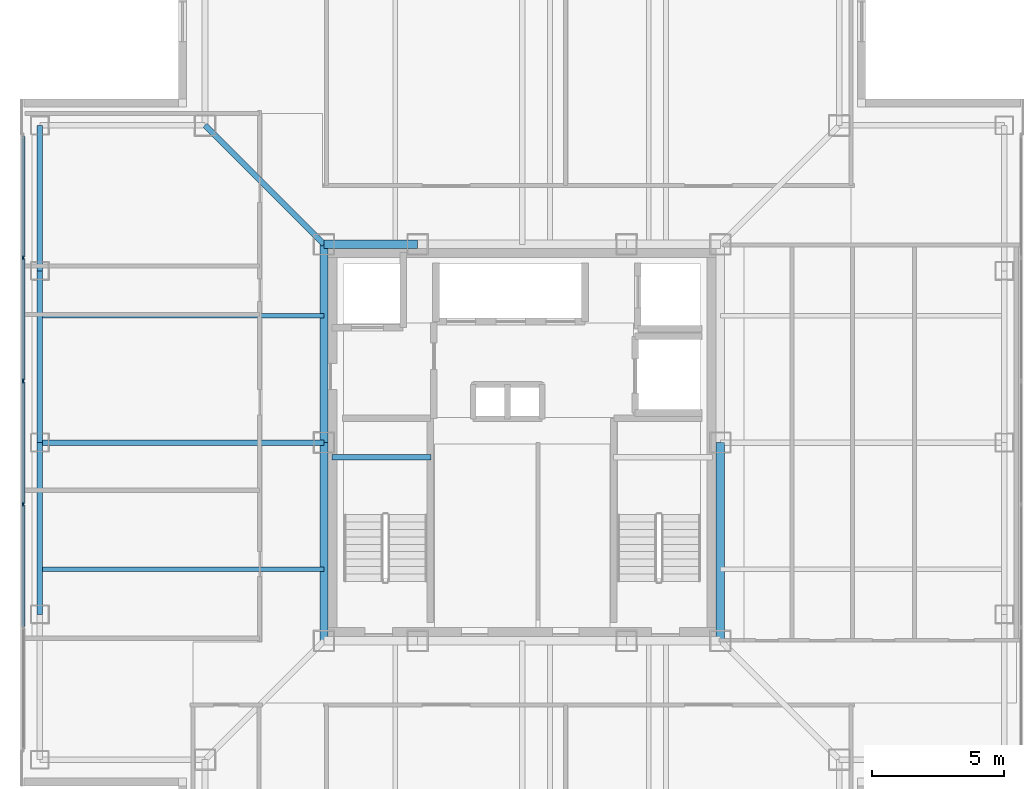
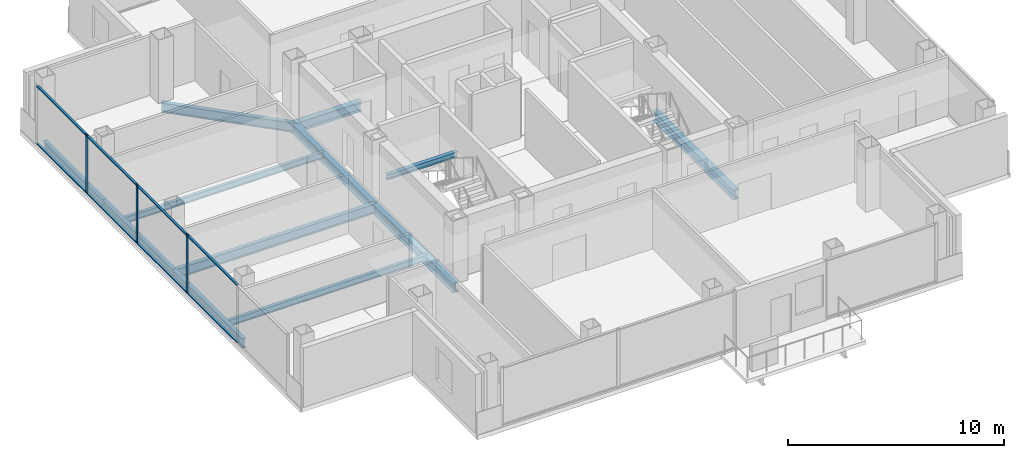
# One storey, part 3 of 15: 12 beams, 11 members, 1 element without a shape of its own.
"""IFC4 building model written with IfcOpenShell, lengths in metres."""

import ifcopenshell
import ifcopenshell.guid

model = None  # the IFC model being written
_history = None  # IfcOwnerHistory: only IFC2X3 demands one
_inside = {}  # id of a spatial element -> (the spatial element, [elements in it])
_under = {}  # id of a project, library or spatial element -> (it, [spatial elements below it])
_declared = {}  # id of a project -> (the project, [libraries it declares])
_typed = {}  # id of a type object -> (the type object, [elements of that type])
_made_of = {}  # id of a material, layer set ... -> (it, [elements and type objects made of it])


def new_model(schema):
    """Start an empty IFC model of exactly this schema.

    Asked for "IFC4X3", IfcOpenShell would pick the latest addendum, in which some entities
    have other attributes; the version numbers below select the first issue.
    IFC2X3 requires an IfcOwnerHistory on every rooted entity: one is made here for all.
    """
    global model, _history
    if schema == "IFC4X3":
        model = ifcopenshell.file(schema_version=(4, 3, 0, 0))
    else:
        model = ifcopenshell.file(schema=schema)
    _inside.clear()
    _under.clear()
    _declared.clear()
    _typed.clear()
    _made_of.clear()
    _history = None
    if model.schema == "IFC2X3":
        org = make("IfcOrganization", Name="unknown")
        user = make(
            "IfcPersonAndOrganization",
            ThePerson=make("IfcPerson", FamilyName="unknown"),
            TheOrganization=org,
        )
        app = make(
            "IfcApplication",
            ApplicationDeveloper=org,
            Version="unknown",
            ApplicationFullName="unknown",
            ApplicationIdentifier="unknown",
        )
        _history = make(
            "IfcOwnerHistory",
            OwningUser=user,
            OwningApplication=app,
            ChangeAction="ADDED",
            CreationDate=0,
        )
    return model


def make(cls, **values):
    """One entity of the class cls with the attributes given. An attribute that is None is left unset."""
    return model.create_entity(
        cls, **{name: value for name, value in values.items() if value is not None}
    )


def rooted(cls, **values):
    """An entity with a GlobalId (a new one), such as an element, a storey or a relation."""
    return make(cls, GlobalId=ifcopenshell.guid.new(), OwnerHistory=_history, **values)


def si_unit(unit_type, name, prefix=None):
    """IfcSIUnit, for example si_unit("LENGTHUNIT", "METRE", prefix="MILLI")."""
    return make("IfcSIUnit", UnitType=unit_type, Prefix=prefix, Name=name)


def assignment(units):
    """IfcUnitAssignment: the units of a project."""
    return None if units is None else make("IfcUnitAssignment", Units=units)


def point(xyz):
    """IfcCartesianPoint."""
    return None if xyz is None else make("IfcCartesianPoint", Coordinates=xyz)


def direction(xyz):
    """IfcDirection."""
    return None if xyz is None else make("IfcDirection", DirectionRatios=xyz)


def frame(location, z_axis=None, x_axis=None):
    """IfcAxis2Placement3D, a coordinate frame: its origin and axes. An axis left out is left unset."""
    return make(
        "IfcAxis2Placement3D",
        Location=point(location),
        Axis=direction(z_axis),
        RefDirection=direction(x_axis),
    )


def frame_2d(location, x_axis=None):
    """IfcAxis2Placement2D, a coordinate frame in the plane: its origin and x axis."""
    return make(
        "IfcAxis2Placement2D", Location=point(location), RefDirection=direction(x_axis)
    )


def origin():
    """The frame at (0, 0, 0) with its axes left unset."""
    return frame((0.0, 0.0, 0.0))


def origin_2d():
    """The frame at (0, 0) in the plane with its x axis left unset."""
    return frame_2d((0.0, 0.0))


def place(relative_to, where):
    """IfcLocalPlacement: puts the frame where relative to a parent placement (None: the world)."""
    return make(
        "IfcLocalPlacement", PlacementRelTo=relative_to, RelativePlacement=where
    )


def context(
    kind, dimensions, precision=None, world=None, true_north=None, identifier=None
):
    """IfcGeometricRepresentationContext, for example the 3D "Model" context."""
    return make(
        "IfcGeometricRepresentationContext",
        ContextIdentifier=identifier,
        ContextType=kind,
        CoordinateSpaceDimension=dimensions,
        Precision=precision,
        WorldCoordinateSystem=world,
        TrueNorth=true_north,
    )


def subcontext(parent, identifier, kind, view, scale=None):
    """IfcGeometricRepresentationSubContext, for example "Body" below "Model"."""
    return make(
        "IfcGeometricRepresentationSubContext",
        ContextIdentifier=identifier,
        ContextType=kind,
        ParentContext=parent,
        TargetScale=scale,
        TargetView=view,
    )


def project(units=None, contexts=None):
    """IfcProject with its units and contexts."""
    return rooted(
        "IfcProject",
        Name="project",
        RepresentationContexts=contexts,
        UnitsInContext=assignment(units),
    )


def spatial(cls, under=None, at=None, **own):
    """A site, building, storey or space (cls), placed at a placement, below another one or the project."""
    s = rooted(cls, ObjectPlacement=at, **own)
    if under is not None:
        _under.setdefault(under.id(), (under, []))[1].append(s)
    return s


def profile(cls, at=None, kind="AREA", **sizes):
    """A parametric profile (cls). Its sizes go by their IFC names, for example OverallWidth=200.0."""
    return make(cls, ProfileType=kind, Position=at, **sizes)


def rectangle(**sizes):
    """IfcRectangleProfileDef."""
    return profile("IfcRectangleProfileDef", **sizes)


def i_section(**sizes):
    """IfcIShapeProfileDef."""
    return profile("IfcIShapeProfileDef", **sizes)


def extrude(swept, where, along, depth):
    """IfcExtrudedAreaSolid: the profile swept, set in the frame where, extruded along a direction by depth."""
    return make(
        "IfcExtrudedAreaSolid",
        SweptArea=swept,
        Position=where,
        ExtrudedDirection=direction(along),
        Depth=depth,
    )


def shape(context_of_items, identifier, shape_type, items):
    """IfcShapeRepresentation: the items that make up one representation, for example the "Body"."""
    return make(
        "IfcShapeRepresentation",
        ContextOfItems=context_of_items,
        RepresentationIdentifier=identifier,
        RepresentationType=shape_type,
        Items=items,
    )


def material(Name=None, Category=None):
    """IfcMaterial."""
    return make("IfcMaterial", Name=Name, Category=Category)


def layer(
    of_material, thickness, ventilated=None, Name=None, Category=None, Priority=None
):
    """IfcMaterialLayer: one layer of a wall or slab, of a material (None: an air gap)."""
    return make(
        "IfcMaterialLayer",
        Material=of_material,
        LayerThickness=thickness,
        IsVentilated=ventilated,
        Name=Name,
        Category=Category,
        Priority=Priority,
    )


def layer_set(layers, Name=None):
    """IfcMaterialLayerSet."""
    return make("IfcMaterialLayerSet", MaterialLayers=layers, LayerSetName=Name)


def material_profile(
    of_material, cross_section, Name=None, Category=None, Priority=None
):
    """IfcMaterialProfile: a cross section and its material."""
    return make(
        "IfcMaterialProfile",
        Name=Name,
        Material=of_material,
        Profile=cross_section,
        Priority=Priority,
        Category=Category,
    )


def profile_set(profiles, Name=None, composite=None):
    """IfcMaterialProfileSet."""
    return make(
        "IfcMaterialProfileSet",
        Name=Name,
        MaterialProfiles=profiles,
        CompositeProfile=composite,
    )


def made_of(thing, what):
    """Note that an element or type object is made of a material, layer set ...; save() writes the relation."""
    if what is not None:
        _made_of.setdefault(what.id(), (what, []))[1].append(thing)
    return thing


def type_object(cls, material=None, **own):
    """A type object (cls), such as IfcWallType, which elements share."""
    return made_of(rooted(cls, **own), material)


def element(
    cls,
    number,
    at=None,
    inside=None,
    cuts=None,
    type_object=None,
    material=None,
    context=None,
    identifier="Body",
    shape_type=None,
    held_by="IfcProductDefinitionShape",
    body=None,
    shapes=None,
    **own,
):
    """One element of the class cls, such as IfcWall. Its Tag is "e" and its number.

    at: its placement. inside: the storey or other place that contains it. cuts: it is an
    opening in that element (IfcRelVoidsElement). A single representation is given by context,
    identifier, shape_type and body (its items); several are given by shapes. held_by: the class
    of the entity that holds the representations. save() writes the other relations.
    """
    e = rooted(cls, Tag="e%d" % number, ObjectPlacement=at, **own)
    if body is not None:
        shapes = [shape(context, identifier, shape_type, body)]
    if shapes is not None:
        e.Representation = make(held_by, Representations=shapes)
    if inside is not None:
        _inside.setdefault(inside.id(), (inside, []))[1].append(e)
    if cuts is not None:
        rooted(
            "IfcRelVoidsElement", RelatingBuildingElement=cuts, RelatedOpeningElement=e
        )
    if type_object is not None:
        _typed.setdefault(type_object.id(), (type_object, []))[1].append(e)
    return made_of(e, material)


def aggregate(whole, parts):
    """IfcRelAggregates: a whole, such as a stair, and the parts it consists of."""
    return rooted("IfcRelAggregates", RelatingObject=whole, RelatedObjects=parts)


def save(model, path):
    """Write the relations noted so far, then the file.

    IfcRelAggregates (storeys below a building ...), IfcRelContainedInSpatialStructure (elements
    in a storey), IfcRelDefinesByType, IfcRelAssociatesMaterial and IfcRelDeclares: one each for
    every whole, place, type object, material and project.
    """
    for whole, parts in _under.values():
        aggregate(whole, parts)
    for where, things in _inside.values():
        rooted(
            "IfcRelContainedInSpatialStructure",
            RelatedElements=things,
            RelatingStructure=where,
        )
    for kind, things in _typed.values():
        rooted("IfcRelDefinesByType", RelatedObjects=things, RelatingType=kind)
    for what, things in _made_of.values():
        rooted("IfcRelAssociatesMaterial", RelatedObjects=things, RelatingMaterial=what)
    for by, libraries in _declared.values():
        rooted("IfcRelDeclares", RelatingContext=by, RelatedDefinitions=libraries)
    model.write(path)


model = new_model("IFC4")

# Units and contexts
model_context = context("Model", 3, precision=1e-05, world=origin(), true_north=direction((0.0, 1.0)))
body_context = subcontext(model_context, "Body", "Model", "MODEL_VIEW")
ifc_project = project(units=[si_unit("LENGTHUNIT", "METRE"), si_unit("AREAUNIT", "SQUARE_METRE"), si_unit("VOLUMEUNIT", "CUBIC_METRE"), si_unit("PLANEANGLEUNIT", "RADIAN"), si_unit("MASSUNIT", "GRAM", prefix="KILO")], contexts=[model_context])

# Site, building, storey
site_placement = place(None, origin())
site = spatial("IfcSite", under=ifc_project, at=site_placement, CompositionType="ELEMENT")
building_placement = place(site_placement, origin())
building = spatial("IfcBuilding", under=site, at=building_placement, Name="Trevonay Congress Spire", CompositionType="ELEMENT")
storey_placement = place(building_placement, frame((0.0, 0.0, 275.60009765625)))
storey = spatial("IfcBuildingStorey", under=building, at=storey_placement, Name="L72", CompositionType="ELEMENT", Elevation=275.60009765625)

# Beams
ifc_material_1 = material(Name="Steel ASTM A572 Grade 50", Category="steel")
ifc_material_profile_1 = material_profile(ifc_material_1, i_section(OverallWidth=0.2119140625, OverallDepth=0.5439453125, WebThickness=0.01318359375, FlangeThickness=0.021240234375, FilletRadius=0.014892578125, at=origin_2d()), Name="W530x123")
ifc_profile_set_1 = profile_set([ifc_material_profile_1], Name="Steel ASTM A572 Grade 50")
beam_type_1 = type_object("IfcBeamType", Name="BM-GIRD-W530X123", PredefinedType="BEAM", material=ifc_profile_set_1)
beam_1_placement = place(storey_placement, frame((-7.5, 7.5, -0.51220703125), z_axis=(-0.707106781187, 0.707106781187, 0.0), x_axis=(-0.707106781187, -0.707106781187, 0.0)))
element("IfcBeam", 1, at=beam_1_placement, inside=storey, type_object=beam_type_1, Name="L72 structural beam BM-L72-CDNW", PredefinedType="BEAM", context=body_context, shape_type="SweptSolid", body=[
    extrude(i_section(OverallWidth=0.2119140625, OverallDepth=0.5439453125, WebThickness=0.01318359375, FlangeThickness=0.021240234375, FilletRadius=0.014892578125, at=origin_2d()), origin(), (0.0, 0.0, 1.0), 6.364013671875),
])
beam_2_placement = place(storey_placement, frame((-7.5, 0.0, -0.51220703125), z_axis=(-1.0, 0.0, 0.0), x_axis=(0.0, -1.0, 0.0)))
element("IfcBeam", 2, at=beam_2_placement, inside=storey, type_object=beam_type_1, Name="L72 structural beam BM-L72-GC-W", PredefinedType="BEAM", context=body_context, shape_type="SweptSolid", body=[
    extrude(i_section(OverallWidth=0.2119140625, OverallDepth=0.5439453125, WebThickness=0.01318359375, FlangeThickness=0.021240234375, FilletRadius=0.014892578125, at=origin_2d()), origin(), (0.0, 0.0, 1.0), 10.75),
])
ifc_material_profile_2 = material_profile(ifc_material_1, i_section(OverallWidth=0.31201171875, OverallDepth=0.54296875, WebThickness=0.0126953125, FlangeThickness=0.020263671875, FilletRadius=0.014892578125, at=origin_2d()), Name="W530x150")
ifc_profile_set_2 = profile_set([ifc_material_profile_2], Name="Steel ASTM A572 Grade 50")
beam_type_2 = type_object("IfcBeamType", Name="BM-GIRD-W530X150", PredefinedType="BEAM", material=ifc_profile_set_2)
beam_3_placement = place(storey_placement, frame((-7.5, 7.5, -0.51171875), z_axis=(1.0, 0.0, 0.0), x_axis=(0.0, 1.0, 0.0)))
element("IfcBeam", 3, at=beam_3_placement, inside=storey, type_object=beam_type_2, Name="L72 structural beam BM-L72-CR-N1", PredefinedType="BEAM", context=body_context, shape_type="SweptSolid", body=[
    extrude(i_section(OverallWidth=0.31201171875, OverallDepth=0.54296875, WebThickness=0.0126953125, FlangeThickness=0.020263671875, FilletRadius=0.014892578125, at=origin_2d()), origin(), (0.0, 0.0, 1.0), 3.550048828125),
])
for number, where, z_axis, x_axis, name in (
    (4, (-7.5, -7.5, -0.51171875), (0.0, 1.0, 0.0), (-1.0, 0.0, 0.0), "L72 structural beam BM-L72-CR-W1"),
    (5, (-7.5, 0.0, -0.51171875), (0.0, 1.0, 0.0), (-1.0, 0.0, 0.0), "L72 structural beam BM-L72-CR-W2"),
    (6, (7.5, -7.5, -0.51171875), (0.0, 1.0, 0.0), (-1.0, 0.0, 0.0), "L72 structural beam BM-L72-CR-E1"),
):
    element("IfcBeam", number, at=place(storey_placement, frame(where, z_axis=z_axis, x_axis=x_axis)), inside=storey, type_object=beam_type_2, Name=name, PredefinedType="BEAM", context=body_context, shape_type="SweptSolid", body=[
        extrude(i_section(OverallWidth=0.31201171875, OverallDepth=0.54296875, WebThickness=0.0126953125, FlangeThickness=0.020263671875, FilletRadius=0.014892578125, at=origin_2d()), origin(), (0.0, 0.0, 1.0), 7.5),
    ])
ifc_material_profile_3 = material_profile(ifc_material_1, i_section(OverallWidth=0.208984375, OverallDepth=0.532958984375, WebThickness=0.01025390625, FlangeThickness=0.015625, FilletRadius=0.014892578125, at=origin_2d()), Name="W530x92")
ifc_profile_set_3 = profile_set([ifc_material_profile_3], Name="Steel ASTM A572 Grade 50")
beam_type_3 = type_object("IfcBeamType", Name="BM-RING-W530X92", PredefinedType="BEAM", material=ifc_profile_set_3)
for number, where, z_axis, x_axis, name in (
    (7, (-18.25, -6.5, -0.506591796875), (0.0, 1.0, 0.0), (-1.0, 0.0, 0.0), "L72 structural beam BM-L72-PW2"),
    (8, (-18.25, 0.0, -0.506591796875), (0.0, 1.0, 0.0), (-1.0, 0.0, 0.0), "L72 structural beam BM-L72-PW3"),
):
    element("IfcBeam", number, at=place(storey_placement, frame(where, z_axis=z_axis, x_axis=x_axis)), inside=storey, type_object=beam_type_3, Name=name, PredefinedType="BEAM", context=body_context, shape_type="SweptSolid", body=[
        extrude(i_section(OverallWidth=0.208984375, OverallDepth=0.532958984375, WebThickness=0.01025390625, FlangeThickness=0.015625, FilletRadius=0.014892578125, at=origin_2d()), origin(), (0.0, 0.0, 1.0), 6.5),
    ])
beam_4_placement = place(storey_placement, frame((-18.25, 6.5, -0.506591796875), z_axis=(0.0, 1.0, 0.0), x_axis=(-1.0, 0.0, 0.0)))
element("IfcBeam", 9, at=beam_4_placement, inside=storey, type_object=beam_type_3, Name="L72 structural beam BM-L72-PW4", PredefinedType="BEAM", context=body_context, shape_type="SweptSolid", body=[
    extrude(i_section(OverallWidth=0.208984375, OverallDepth=0.532958984375, WebThickness=0.01025390625, FlangeThickness=0.015625, FilletRadius=0.014892578125, at=origin_2d()), origin(), (0.0, 0.0, 1.0), 5.5),
])

# Curtain wall, members
ifc_material_2 = material(Name="Pale Anodised Aluminium EN AW-6063-T6", Category="aluminium")
ifc_layer = layer(ifc_material_2, 0.1650390625, Name="Pale Anodised Aluminium EN AW-6063-T6")
ifc_layer_set = layer_set([ifc_layer], Name="Pale Anodised Aluminium EN AW-6063-T6")
curtain_wall_type = type_object("IfcCurtainWallType", Name="CW-SYS05-DIPLOM-PALE-METAL", PredefinedType="NOTDEFINED", material=ifc_layer_set)
curtain_wall_placement = place(storey_placement, origin())
curtain_wall = element("IfcCurtainWall", 10, at=curtain_wall_placement, inside=storey, type_object=curtain_wall_type, Name="L72 W unitised curtain wall", PredefinedType="NOTDEFINED")
ifc_material_profile_4 = material_profile(ifc_material_2, rectangle(XDim=0.06005859375, YDim=0.159912109375, at=origin_2d()), Name="CW-MULLION-160-ALUMINIUM")
ifc_profile_set_4 = profile_set([ifc_material_profile_4], Name="Pale Anodised Aluminium EN AW-6063-T6")
member_type_1 = type_object("IfcMemberType", Name="CW-MULLION-160-ALUMINIUM", PredefinedType="MULLION", material=ifc_profile_set_4)
member_1_placement = place(storey_placement, frame((-18.8798828125, -2.330078125, 0.0), z_axis=(0.0, 0.0, 1.0), x_axis=(-1.0, 0.0, 0.0)))
member_1 = element("IfcMember", 11, at=member_1_placement, type_object=member_type_1, Name="CW05 mullion 3", PredefinedType="MULLION", context=body_context, shape_type="SweptSolid", body=[
    extrude(rectangle(XDim=0.06005859375, YDim=0.159912109375, at=origin_2d()), origin(), (0.0, 0.0, 1.0), 3.35986328125),
])
member_2_placement = place(storey_placement, frame((-18.8798828125, 2.330078125, 0.0), z_axis=(0.0, 0.0, 1.0), x_axis=(-1.0, 0.0, 0.0)))
member_2 = element("IfcMember", 12, at=member_2_placement, type_object=member_type_1, Name="CW05 mullion 4", PredefinedType="MULLION", context=body_context, shape_type="SweptSolid", body=[
    extrude(rectangle(XDim=0.06005859375, YDim=0.159912109375, at=origin_2d()), origin(), (0.0, 0.0, 1.0), 3.35986328125),
])
member_3_placement = place(storey_placement, frame((-18.8798828125, 6.989990234375, 0.0), z_axis=(0.0, 0.0, 1.0), x_axis=(-1.0, 0.0, 0.0)))
member_3 = element("IfcMember", 13, at=member_3_placement, type_object=member_type_1, Name="CW05 mullion 5", PredefinedType="MULLION", context=body_context, shape_type="SweptSolid", body=[
    extrude(rectangle(XDim=0.06005859375, YDim=0.159912109375, at=origin_2d()), origin(), (0.0, 0.0, 1.0), 3.35986328125),
])
ifc_material_profile_5 = material_profile(ifc_material_2, rectangle(XDim=0.1201171875, YDim=0.06005859375, at=origin_2d()), Name="CW-TRANSOM-120-ALUMINIUM")
ifc_profile_set_5 = profile_set([ifc_material_profile_5], Name="Pale Anodised Aluminium EN AW-6063-T6")
member_type_2 = type_object("IfcMemberType", Name="CW-TRANSOM-120-ALUMINIUM", PredefinedType="USERDEFINED", material=ifc_profile_set_5)
member_4_placement = place(storey_placement, frame((-18.8798828125, -6.9599609375, 0.059814453125), z_axis=(0.0, 1.0, 0.0), x_axis=(-1.0, 0.0, 0.0)))
member_4 = element("IfcMember", 14, at=member_4_placement, type_object=member_type_2, Name="CW05 transom 2.1", ObjectType="TRANSOM", PredefinedType="USERDEFINED", context=body_context, shape_type="SweptSolid", body=[
    extrude(rectangle(XDim=0.1201171875, YDim=0.06005859375, at=origin_2d()), origin(), (0.0, 0.0, 1.0), 4.599853515625),
])
member_5_placement = place(storey_placement, frame((-18.8798828125, -6.9599609375, 3.2998046875), z_axis=(0.0, 1.0, 0.0), x_axis=(-1.0, 0.0, 0.0)))
member_5 = element("IfcMember", 15, at=member_5_placement, type_object=member_type_2, Name="CW05 transom 2.2", ObjectType="TRANSOM", PredefinedType="USERDEFINED", context=body_context, shape_type="SweptSolid", body=[
    extrude(rectangle(XDim=0.1201171875, YDim=0.06005859375, at=origin_2d()), origin(), (0.0, 0.0, 1.0), 4.599853515625),
])
member_6_placement = place(storey_placement, frame((-18.8798828125, -2.300048828125, 0.059814453125), z_axis=(0.0, 1.0, 0.0), x_axis=(-1.0, 0.0, 0.0)))
member_6 = element("IfcMember", 16, at=member_6_placement, type_object=member_type_2, Name="CW05 transom 3.1", ObjectType="TRANSOM", PredefinedType="USERDEFINED", context=body_context, shape_type="SweptSolid", body=[
    extrude(rectangle(XDim=0.1201171875, YDim=0.06005859375, at=origin_2d()), origin(), (0.0, 0.0, 1.0), 4.60009765625),
])
member_7_placement = place(storey_placement, frame((-18.8798828125, -2.300048828125, 3.2998046875), z_axis=(0.0, 1.0, 0.0), x_axis=(-1.0, 0.0, 0.0)))
member_7 = element("IfcMember", 17, at=member_7_placement, type_object=member_type_2, Name="CW05 transom 3.2", ObjectType="TRANSOM", PredefinedType="USERDEFINED", context=body_context, shape_type="SweptSolid", body=[
    extrude(rectangle(XDim=0.1201171875, YDim=0.06005859375, at=origin_2d()), origin(), (0.0, 0.0, 1.0), 4.60009765625),
])
member_8_placement = place(storey_placement, frame((-18.8798828125, 2.360107421875, 0.059814453125), z_axis=(0.0, 1.0, 0.0), x_axis=(-1.0, 0.0, 0.0)))
member_8 = element("IfcMember", 18, at=member_8_placement, type_object=member_type_2, Name="CW05 transom 4.1", ObjectType="TRANSOM", PredefinedType="USERDEFINED", context=body_context, shape_type="SweptSolid", body=[
    extrude(rectangle(XDim=0.1201171875, YDim=0.06005859375, at=origin_2d()), origin(), (0.0, 0.0, 1.0), 4.599853515625),
])
member_9_placement = place(storey_placement, frame((-18.8798828125, 2.360107421875, 3.2998046875), z_axis=(0.0, 1.0, 0.0), x_axis=(-1.0, 0.0, 0.0)))
member_9 = element("IfcMember", 19, at=member_9_placement, type_object=member_type_2, Name="CW05 transom 4.2", ObjectType="TRANSOM", PredefinedType="USERDEFINED", context=body_context, shape_type="SweptSolid", body=[
    extrude(rectangle(XDim=0.1201171875, YDim=0.06005859375, at=origin_2d()), origin(), (0.0, 0.0, 1.0), 4.599853515625),
])
member_10_placement = place(storey_placement, frame((-18.8798828125, 7.02001953125, 0.059814453125), z_axis=(0.0, 1.0, 0.0), x_axis=(-1.0, 0.0, 0.0)))
member_10 = element("IfcMember", 20, at=member_10_placement, type_object=member_type_2, Name="CW05 transom 5.1", ObjectType="TRANSOM", PredefinedType="USERDEFINED", context=body_context, shape_type="SweptSolid", body=[
    extrude(rectangle(XDim=0.1201171875, YDim=0.06005859375, at=origin_2d()), origin(), (0.0, 0.0, 1.0), 4.570068359375),
])
member_11_placement = place(storey_placement, frame((-18.8798828125, 7.02001953125, 3.2998046875), z_axis=(0.0, 1.0, 0.0), x_axis=(-1.0, 0.0, 0.0)))
member_11 = element("IfcMember", 21, at=member_11_placement, type_object=member_type_2, Name="CW05 transom 5.2", ObjectType="TRANSOM", PredefinedType="USERDEFINED", context=body_context, shape_type="SweptSolid", body=[
    extrude(rectangle(XDim=0.1201171875, YDim=0.06005859375, at=origin_2d()), origin(), (0.0, 0.0, 1.0), 4.570068359375),
])
aggregate(curtain_wall, [member_1, member_2, member_3, member_4, member_5, member_6, member_7, member_8, member_9, member_10, member_11])

# Beams
ifc_material_profile_6 = material_profile(ifc_material_1, i_section(OverallWidth=0.172119140625, OverallDepth=0.35791015625, WebThickness=0.0078125, FlangeThickness=0.01318359375, FilletRadius=0.011962890625, at=origin_2d()), Name="W360x57.8")
ifc_profile_set_6 = profile_set([ifc_material_profile_6], Name="Steel ASTM A572 Grade 50")
beam_type_4 = type_object("IfcBeamType", Name="JS-COMP-W360X57", PredefinedType="JOIST", material=ifc_profile_set_6)
for number, where, z_axis, x_axis, name in (
    (22, (-18.25, -4.800048828125, -0.419189453125), (1.0, 0.0, 0.0), (0.0, 1.0, 0.0), "L72 structural beam JS-L72-EW-W1"),
    (23, (-18.25, 4.800048828125, -0.419189453125), (1.0, 0.0, 0.0), (0.0, 1.0, 0.0), "L72 structural beam JS-L72-EW-W3"),
):
    element("IfcBeam", number, at=place(storey_placement, frame(where, z_axis=z_axis, x_axis=x_axis)), inside=storey, type_object=beam_type_4, Name=name, PredefinedType="JOIST", context=body_context, shape_type="SweptSolid", body=[
        extrude(i_section(OverallWidth=0.172119140625, OverallDepth=0.35791015625, WebThickness=0.0078125, FlangeThickness=0.01318359375, FilletRadius=0.011962890625, at=origin_2d()), origin(), (0.0, 0.0, 1.0), 10.75),
    ])
ifc_material_profile_7 = material_profile(ifc_material_1, i_section(OverallWidth=0.2041015625, OverallDepth=0.305908203125, WebThickness=0.008544921875, FlangeThickness=0.0146484375, FilletRadius=0.010986328125, at=origin_2d()), Name="W310x67")
ifc_profile_set_7 = profile_set([ifc_material_profile_7], Name="Steel ASTM A572 Grade 50")
beam_type_5 = type_object("IfcBeamType", Name="LN-CORE-W310X67", PredefinedType="LINTEL", material=ifc_profile_set_7)
beam_5_placement = place(storey_placement, frame((-7.199951171875, -0.550048828125, 1.447021484375), z_axis=(1.0, 0.0, 0.0), x_axis=(0.0, 1.0, 0.0)))
element("IfcBeam", 24, at=beam_5_placement, inside=storey, type_object=beam_type_5, Name="L72 structural beam BM-L72-HL-ST1", PredefinedType="LINTEL", context=body_context, shape_type="SweptSolid", body=[
    extrude(i_section(OverallWidth=0.2041015625, OverallDepth=0.305908203125, WebThickness=0.008544921875, FlangeThickness=0.0146484375, FilletRadius=0.010986328125, at=origin_2d()), origin(), (0.0, 0.0, 1.0), 3.75),
])

save(model, "model.ifc")
